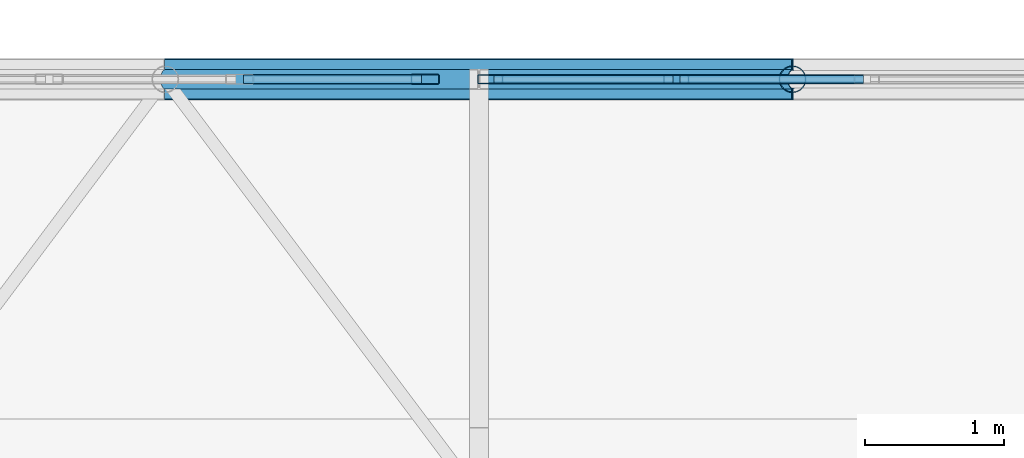
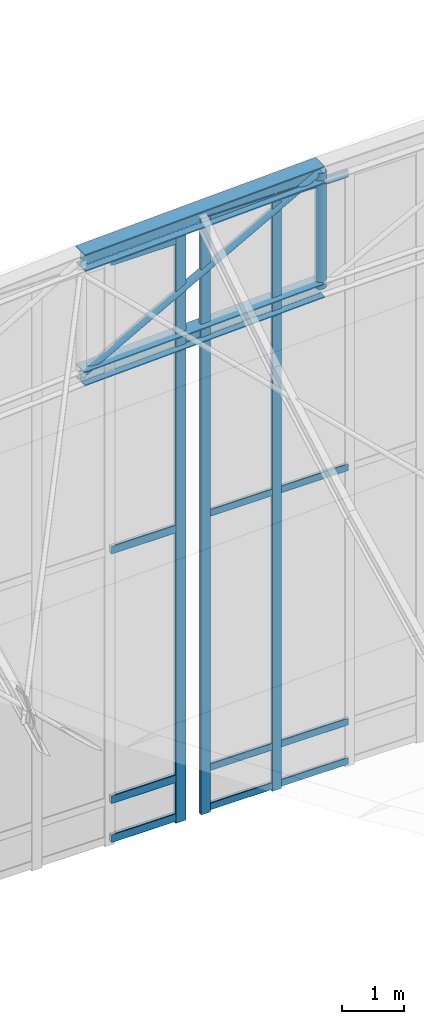
# One storey, part 191 of 262: 19 members, 2 elements without a shape of their own.
"""IFC4 building model written with IfcOpenShell, lengths in metres."""

from ifc_helpers import new_model, si_unit, derived_unit, direction, frame, origin, origin_2d, place, context, subcontext, project, spatial, hollow_rectangle, hollow_circle, i_section, extrude, material, layer, layer_set, material_profile, profile_set, type_object, element, aggregate, save


model = new_model("IFC4")

# Units and contexts
model_context = context("Model", 3, precision=1e-05, world=origin(), true_north=direction((0.0, 1.0)))
body_context = subcontext(model_context, "Body", "Model", "MODEL_VIEW")
ifc_project = project(units=[si_unit("LENGTHUNIT", "METRE"), si_unit("AREAUNIT", "SQUARE_METRE"), si_unit("VOLUMEUNIT", "CUBIC_METRE"), si_unit("PLANEANGLEUNIT", "RADIAN"), si_unit("MASSUNIT", "GRAM", prefix="KILO"), derived_unit("THERMALTRANSMITTANCEUNIT", [(si_unit("POWERUNIT", "WATT"), 1), (si_unit("LENGTHUNIT", "METRE"), -2), (si_unit("THERMODYNAMICTEMPERATUREUNIT", "KELVIN"), -1)])], contexts=[model_context])

# Site, building, storey
site_placement = place(None, origin())
site = spatial("IfcSite", under=ifc_project, at=site_placement, CompositionType="ELEMENT")
building_placement = place(site_placement, origin())
building = spatial("IfcBuilding", under=site, at=building_placement, Name="Almenara Railside Exhibition Hall", CompositionType="ELEMENT")
storey_placement = place(building_placement, frame((0.0, 0.0, 21.699951171875)))
storey = spatial("IfcBuildingStorey", under=building, at=storey_placement, Name="RF", CompositionType="ELEMENT", Elevation=21.699951171875)

# Members
ifc_material_1 = material(Name="Structural steel S355JR", Category="steel")
ifc_material_profile_1 = material_profile(ifc_material_1, i_section(OverallWidth=0.280029296875, OverallDepth=0.280029296875, WebThickness=0.010498046875, FlangeThickness=0.01806640625, FilletRadius=0.02392578125, at=origin_2d()), Name="HEB 280")
ifc_profile_set_1 = profile_set([ifc_material_profile_1], Name="Structural steel S355JR")
member_type_1 = type_object("IfcMemberType", Name="Arched Gable Bottom Chord HEB 280 S355JR", PredefinedType="CHORD", material=ifc_profile_set_1)
member_1_placement = place(storey_placement, frame((30.0, 132.0, 8.5556640625), z_axis=(0.99917098071, 0.0, 0.04071057978), x_axis=(0.0, 1.0, 0.0)))
element("IfcMember", 1, at=member_1_placement, inside=storey, type_object=member_type_1, Name="MEM-BC-V1-07-04", PredefinedType="CHORD", context=body_context, shape_type="SweptSolid", body=[
    extrude(i_section(OverallWidth=0.280029296875, OverallDepth=0.280029296875, WebThickness=0.010498046875, FlangeThickness=0.01806640625, FilletRadius=0.02392578125, at=origin_2d()), origin(), (0.0, 0.0, 1.0), 4.503662109375),
])
ifc_material_profile_2 = material_profile(ifc_material_1, i_section(OverallWidth=0.300048828125, OverallDepth=0.340087890625, WebThickness=0.011962890625, FlangeThickness=0.021484375, FilletRadius=0.027099609375, at=origin_2d()), Name="HEB 340")
ifc_profile_set_2 = profile_set([ifc_material_profile_2], Name="Structural steel S355JR")
member_type_2 = type_object("IfcMemberType", Name="Arched Gable Top Chord HEB 340 S355JR", PredefinedType="CHORD", material=ifc_profile_set_2)
member_2_placement = place(storey_placement, frame((30.0, 132.0, 10.855712890625), z_axis=(0.999173184279, 0.0, 0.040656460949), x_axis=(0.0, 1.0, 0.0)))
element("IfcMember", 2, at=member_2_placement, inside=storey, type_object=member_type_2, Name="MEM-TC-V1-07-04", PredefinedType="CHORD", context=body_context, shape_type="SweptSolid", body=[
    extrude(i_section(OverallWidth=0.300048828125, OverallDepth=0.340087890625, WebThickness=0.011962890625, FlangeThickness=0.021484375, FilletRadius=0.027099609375, at=origin_2d()), origin(), (0.0, 0.0, 1.0), 4.503662109375),
])

# Curtain wall, members
ifc_material_2 = material(Name="Bronze-anodised aluminium and low-E double glazing", Category="aluminium")
ifc_layer = layer(ifc_material_2, 0.179931640625, Name="Bronze-anodised aluminium and low-E double glazing")
ifc_layer_set = layer_set([ifc_layer], Name="Bronze-anodised aluminium and low-E double glazing")
curtain_wall_type = type_object("IfcCurtainWallType", Name="Scroll Gable Tall Curtain Wall 3800x5400", PredefinedType="NOTDEFINED", material=ifc_layer_set)
curtain_wall_1_placement = place(storey_placement, origin())
curtain_wall_1 = element("IfcCurtainWall", 3, at=curtain_wall_1_placement, inside=storey, type_object=curtain_wall_type, Name="Curtain wall CW-G1-209", PredefinedType="NOTDEFINED")
ifc_material_3 = material(Name="Bronze-anodised aluminium", Category="aluminium")
ifc_material_profile_3 = material_profile(ifc_material_3, hollow_rectangle(XDim=0.06494140625, YDim=0.179931640625, WallThickness=0.00390625, InnerFilletRadius=0.00390625, OuterFilletRadius=0.008056640625, at=origin_2d()), Name="ALU-MUL 65x180x4")
ifc_profile_set_3 = profile_set([ifc_material_profile_3], Name="Bronze-anodised aluminium")
member_type_3 = type_object("IfcMemberType", Name="Curtain Wall Mullion 65x180x4", PredefinedType="MULLION", material=ifc_profile_set_3)
member_3_placement = place(storey_placement, frame((32.33251953125, 132.0, -0.93505859375), z_axis=(0.0, 0.0, 1.0), x_axis=(0.0, 1.0, 0.0)))
member_3 = element("IfcMember", 4, at=member_3_placement, type_object=member_type_3, Name="CW-G1-209 mullion 1", PredefinedType="MULLION", context=body_context, shape_type="SweptSolid", body=[
    extrude(hollow_rectangle(XDim=0.06494140625, YDim=0.179931640625, WallThickness=0.00390625, InnerFilletRadius=0.00390625, OuterFilletRadius=0.008056640625, at=origin_2d()), origin(), (0.0, 0.0, 1.0), 11.815185546875),
])
member_4_placement = place(storey_placement, frame((33.666748046875, 132.0, -0.93505859375), z_axis=(0.0, 0.0, 1.0), x_axis=(0.0, 1.0, 0.0)))
member_4 = element("IfcMember", 5, at=member_4_placement, type_object=member_type_3, Name="CW-G1-209 mullion 2", PredefinedType="MULLION", context=body_context, shape_type="SweptSolid", body=[
    extrude(hollow_rectangle(XDim=0.06494140625, YDim=0.179931640625, WallThickness=0.00390625, InnerFilletRadius=0.00390625, OuterFilletRadius=0.008056640625, at=origin_2d()), origin(), (0.0, 0.0, 1.0), 11.815185546875),
])

# Curtain wall, member
curtain_wall_2_placement = place(storey_placement, origin())
curtain_wall_2 = element("IfcCurtainWall", 6, at=curtain_wall_2_placement, inside=storey, type_object=curtain_wall_type, Name="Curtain wall CW-G1-208", PredefinedType="NOTDEFINED")
ifc_material_profile_4 = material_profile(ifc_material_3, hollow_rectangle(XDim=0.070068359375, YDim=0.199951171875, WallThickness=0.00439453125, InnerFilletRadius=0.00439453125, OuterFilletRadius=0.009033203125, at=origin_2d()), Name="ALU-MUL 70x200x4.5")
ifc_profile_set_4 = profile_set([ifc_material_profile_4], Name="Bronze-anodised aluminium")
member_type_4 = type_object("IfcMemberType", Name="Curtain Wall Mullion 70x200x4.5", PredefinedType="MULLION", material=ifc_profile_set_4)
member_5_placement = place(storey_placement, frame((31.864990234375, 132.0, -0.93505859375), z_axis=(0.0, 0.0, 1.0), x_axis=(0.0, 1.0, 0.0)))
member_5 = element("IfcMember", 7, at=member_5_placement, type_object=member_type_4, Name="CW-G1-208 mullion 4", PredefinedType="MULLION", context=body_context, shape_type="SweptSolid", body=[
    extrude(hollow_rectangle(XDim=0.070068359375, YDim=0.199951171875, WallThickness=0.00439453125, InnerFilletRadius=0.00439453125, OuterFilletRadius=0.009033203125, at=origin_2d()), origin(), (0.0, 0.0, 1.0), 11.635009765625),
])

# Member
ifc_material_profile_5 = material_profile(ifc_material_3, hollow_rectangle(XDim=0.06494140625, YDim=0.139892578125, WallThickness=0.00341796875, InnerFilletRadius=0.00341796875, OuterFilletRadius=0.007080078125, at=origin_2d()), Name="ALU-TRN 65x140x3.5")
ifc_profile_set_5 = profile_set([ifc_material_profile_5], Name="Bronze-anodised aluminium")
member_type_5 = type_object("IfcMemberType", Name="Curtain Wall Transom 65x140x3.5", PredefinedType="USERDEFINED", material=ifc_profile_set_5)
member_6_placement = place(storey_placement, frame((32.35693359375, 132.0, -0.829833984375), z_axis=(1.0, 0.0, 0.0), x_axis=(0.0, 1.0, 0.0)))
member_6 = element("IfcMember", 8, at=member_6_placement, type_object=member_type_5, Name="CW-G1-209 transom 1.1", ObjectType="TRANSOM", PredefinedType="USERDEFINED", context=body_context, shape_type="SweptSolid", body=[
    extrude(hollow_rectangle(XDim=0.06494140625, YDim=0.139892578125, WallThickness=0.00341796875, InnerFilletRadius=0.00341796875, OuterFilletRadius=0.007080078125, at=origin_2d()), origin(), (0.0, 0.0, 1.0), 1.28515625),
])

member_7_placement = place(storey_placement, frame((32.35693359375, 132.0, -0.050048828125), z_axis=(1.0, 0.0, 0.0), x_axis=(0.0, 1.0, 0.0)))
member_7 = element("IfcMember", 9, at=member_7_placement, type_object=member_type_5, Name="CW-G1-209 transom 1.2", ObjectType="TRANSOM", PredefinedType="USERDEFINED", context=body_context, shape_type="SweptSolid", body=[
    extrude(hollow_rectangle(XDim=0.06494140625, YDim=0.139892578125, WallThickness=0.00341796875, InnerFilletRadius=0.00341796875, OuterFilletRadius=0.007080078125, at=origin_2d()), origin(), (0.0, 0.0, 1.0), 1.28515625),
])

member_8_placement = place(storey_placement, frame((32.35693359375, 132.0, 4.989990234375), z_axis=(1.0, 0.0, 0.0), x_axis=(0.0, 1.0, 0.0)))
member_8 = element("IfcMember", 10, at=member_8_placement, type_object=member_type_5, Name="CW-G1-209 transom 1.3", ObjectType="TRANSOM", PredefinedType="USERDEFINED", context=body_context, shape_type="SweptSolid", body=[
    extrude(hollow_rectangle(XDim=0.06494140625, YDim=0.139892578125, WallThickness=0.00341796875, InnerFilletRadius=0.00341796875, OuterFilletRadius=0.007080078125, at=origin_2d()), origin(), (0.0, 0.0, 1.0), 1.28515625),
])

member_9_placement = place(storey_placement, frame((32.35693359375, 132.0, 10.81005859375), z_axis=(1.0, 0.0, 0.0), x_axis=(0.0, 1.0, 0.0)))
member_9 = element("IfcMember", 11, at=member_9_placement, type_object=member_type_5, Name="CW-G1-209 transom 1.4", ObjectType="TRANSOM", PredefinedType="USERDEFINED", context=body_context, shape_type="SweptSolid", body=[
    extrude(hollow_rectangle(XDim=0.06494140625, YDim=0.139892578125, WallThickness=0.00341796875, InnerFilletRadius=0.00341796875, OuterFilletRadius=0.007080078125, at=origin_2d()), origin(), (0.0, 0.0, 1.0), 1.28515625),
])

member_10_placement = place(storey_placement, frame((33.691162109375, 132.0, -0.829833984375), z_axis=(1.0, 0.0, 0.0), x_axis=(0.0, 1.0, 0.0)))
member_10 = element("IfcMember", 12, at=member_10_placement, type_object=member_type_5, Name="CW-G1-209 transom 2.1", ObjectType="TRANSOM", PredefinedType="USERDEFINED", context=body_context, shape_type="SweptSolid", body=[
    extrude(hollow_rectangle(XDim=0.06494140625, YDim=0.139892578125, WallThickness=0.00341796875, InnerFilletRadius=0.00341796875, OuterFilletRadius=0.007080078125, at=origin_2d()), origin(), (0.0, 0.0, 1.0), 1.317626953125),
])

member_11_placement = place(storey_placement, frame((33.691162109375, 132.0, -0.050048828125), z_axis=(1.0, 0.0, 0.0), x_axis=(0.0, 1.0, 0.0)))
member_11 = element("IfcMember", 13, at=member_11_placement, type_object=member_type_5, Name="CW-G1-209 transom 2.2", ObjectType="TRANSOM", PredefinedType="USERDEFINED", context=body_context, shape_type="SweptSolid", body=[
    extrude(hollow_rectangle(XDim=0.06494140625, YDim=0.139892578125, WallThickness=0.00341796875, InnerFilletRadius=0.00341796875, OuterFilletRadius=0.007080078125, at=origin_2d()), origin(), (0.0, 0.0, 1.0), 1.317626953125),
])

member_12_placement = place(storey_placement, frame((33.691162109375, 132.0, 4.989990234375), z_axis=(1.0, 0.0, 0.0), x_axis=(0.0, 1.0, 0.0)))
member_12 = element("IfcMember", 14, at=member_12_placement, type_object=member_type_5, Name="CW-G1-209 transom 2.3", ObjectType="TRANSOM", PredefinedType="USERDEFINED", context=body_context, shape_type="SweptSolid", body=[
    extrude(hollow_rectangle(XDim=0.06494140625, YDim=0.139892578125, WallThickness=0.00341796875, InnerFilletRadius=0.00341796875, OuterFilletRadius=0.007080078125, at=origin_2d()), origin(), (0.0, 0.0, 1.0), 1.317626953125),
])

member_13_placement = place(storey_placement, frame((33.691162109375, 132.0, 10.81005859375), z_axis=(1.0, 0.0, 0.0), x_axis=(0.0, 1.0, 0.0)))
member_13 = element("IfcMember", 15, at=member_13_placement, type_object=member_type_5, Name="CW-G1-209 transom 2.4", ObjectType="TRANSOM", PredefinedType="USERDEFINED", context=body_context, shape_type="SweptSolid", body=[
    extrude(hollow_rectangle(XDim=0.06494140625, YDim=0.139892578125, WallThickness=0.00341796875, InnerFilletRadius=0.00341796875, OuterFilletRadius=0.007080078125, at=origin_2d()), origin(), (0.0, 0.0, 1.0), 1.317626953125),
])

aggregate(curtain_wall_1, [member_3, member_4, member_6, member_7, member_8, member_9, member_10, member_11, member_12, member_13])

ifc_material_profile_6 = material_profile(ifc_material_3, hollow_rectangle(XDim=0.070068359375, YDim=0.159912109375, WallThickness=0.00390625, InnerFilletRadius=0.00390625, OuterFilletRadius=0.008056640625, at=origin_2d()), Name="ALU-TRN 70x160x4")
ifc_profile_set_6 = profile_set([ifc_material_profile_6], Name="Bronze-anodised aluminium")
member_type_6 = type_object("IfcMemberType", Name="Curtain Wall Transom 70x160x4", PredefinedType="USERDEFINED", material=ifc_profile_set_6)
member_14_placement = place(storey_placement, frame((30.560302734375, 132.0, -0.820068359375), z_axis=(1.0, 0.0, 0.0), x_axis=(0.0, 1.0, 0.0)))
member_14 = element("IfcMember", 16, at=member_14_placement, type_object=member_type_6, Name="CW-G1-208 transom 3.1", ObjectType="TRANSOM", PredefinedType="USERDEFINED", context=body_context, shape_type="SweptSolid", body=[
    extrude(hollow_rectangle(XDim=0.070068359375, YDim=0.159912109375, WallThickness=0.00390625, InnerFilletRadius=0.00390625, OuterFilletRadius=0.008056640625, at=origin_2d()), origin(), (0.0, 0.0, 1.0), 1.277587890625),
])

member_15_placement = place(storey_placement, frame((30.560302734375, 132.0, -0.050048828125), z_axis=(1.0, 0.0, 0.0), x_axis=(0.0, 1.0, 0.0)))
member_15 = element("IfcMember", 17, at=member_15_placement, type_object=member_type_6, Name="CW-G1-208 transom 3.2", ObjectType="TRANSOM", PredefinedType="USERDEFINED", context=body_context, shape_type="SweptSolid", body=[
    extrude(hollow_rectangle(XDim=0.070068359375, YDim=0.159912109375, WallThickness=0.00390625, InnerFilletRadius=0.00390625, OuterFilletRadius=0.008056640625, at=origin_2d()), origin(), (0.0, 0.0, 1.0), 1.277587890625),
])

member_16_placement = place(storey_placement, frame((30.560302734375, 132.0, 4.900146484375), z_axis=(1.0, 0.0, 0.0), x_axis=(0.0, 1.0, 0.0)))
member_16 = element("IfcMember", 18, at=member_16_placement, type_object=member_type_6, Name="CW-G1-208 transom 3.3", ObjectType="TRANSOM", PredefinedType="USERDEFINED", context=body_context, shape_type="SweptSolid", body=[
    extrude(hollow_rectangle(XDim=0.070068359375, YDim=0.159912109375, WallThickness=0.00390625, InnerFilletRadius=0.00390625, OuterFilletRadius=0.008056640625, at=origin_2d()), origin(), (0.0, 0.0, 1.0), 1.277587890625),
])

member_17_placement = place(storey_placement, frame((30.560302734375, 132.0, 10.6201171875), z_axis=(1.0, 0.0, 0.0), x_axis=(0.0, 1.0, 0.0)))
member_17 = element("IfcMember", 19, at=member_17_placement, type_object=member_type_6, Name="CW-G1-208 transom 3.4", ObjectType="TRANSOM", PredefinedType="USERDEFINED", context=body_context, shape_type="SweptSolid", body=[
    extrude(hollow_rectangle(XDim=0.070068359375, YDim=0.159912109375, WallThickness=0.00390625, InnerFilletRadius=0.00390625, OuterFilletRadius=0.008056640625, at=origin_2d()), origin(), (0.0, 0.0, 1.0), 1.277587890625),
])

aggregate(curtain_wall_2, [member_5, member_14, member_15, member_16, member_17])

# Members
ifc_material_profile_7 = material_profile(ifc_material_1, hollow_circle(Radius=0.06982421875, WallThickness=0.0048828125, at=origin_2d()), Name="CHS 139.7x5")
ifc_profile_set_7 = profile_set([ifc_material_profile_7], Name="Structural steel S355JR")
member_type_7 = type_object("IfcMemberType", Name="Truss Inner Diagonal CHS 139.7x5 S355JR", PredefinedType="BRACE", material=ifc_profile_set_7)
member_18_placement = place(storey_placement, frame((30.0, 132.0, 8.5556640625), z_axis=(0.875545119572, 0.0, 0.483136361283), x_axis=(0.0, 1.0, 0.0)))
element("IfcMember", 20, at=member_18_placement, inside=storey, type_object=member_type_7, Name="MEM-TD-V1-07-04", PredefinedType="BRACE", context=body_context, shape_type="SweptSolid", body=[
    extrude(hollow_circle(Radius=0.06982421875, WallThickness=0.0048828125, at=origin_2d()), origin(), (0.0, 0.0, 1.0), 5.1396484375),
])
ifc_material_profile_8 = material_profile(ifc_material_1, hollow_circle(Radius=0.096923828125, WallThickness=0.00634765625, at=origin_2d()), Name="CHS 193.7x6.3")
ifc_profile_set_8 = profile_set([ifc_material_profile_8], Name="Structural steel S355JR")
member_type_8 = type_object("IfcMemberType", Name="Truss Standard Vertical Strut CHS 193.7x6.3 S355JR", PredefinedType="BRACE", material=ifc_profile_set_8)
member_19_placement = place(storey_placement, frame((34.5, 132.0, 8.739013671875), z_axis=(0.0, 0.0, 1.0), x_axis=(1.0, 0.0, 0.0)))
element("IfcMember", 21, at=member_19_placement, inside=storey, type_object=member_type_8, Name="MEM-TV-V1-07-05", PredefinedType="BRACE", context=body_context, shape_type="SweptSolid", body=[
    extrude(hollow_circle(Radius=0.096923828125, WallThickness=0.00634765625, at=origin_2d()), origin(), (0.0, 0.0, 1.0), 2.2998046875),
])

save(model, "model.ifc")
